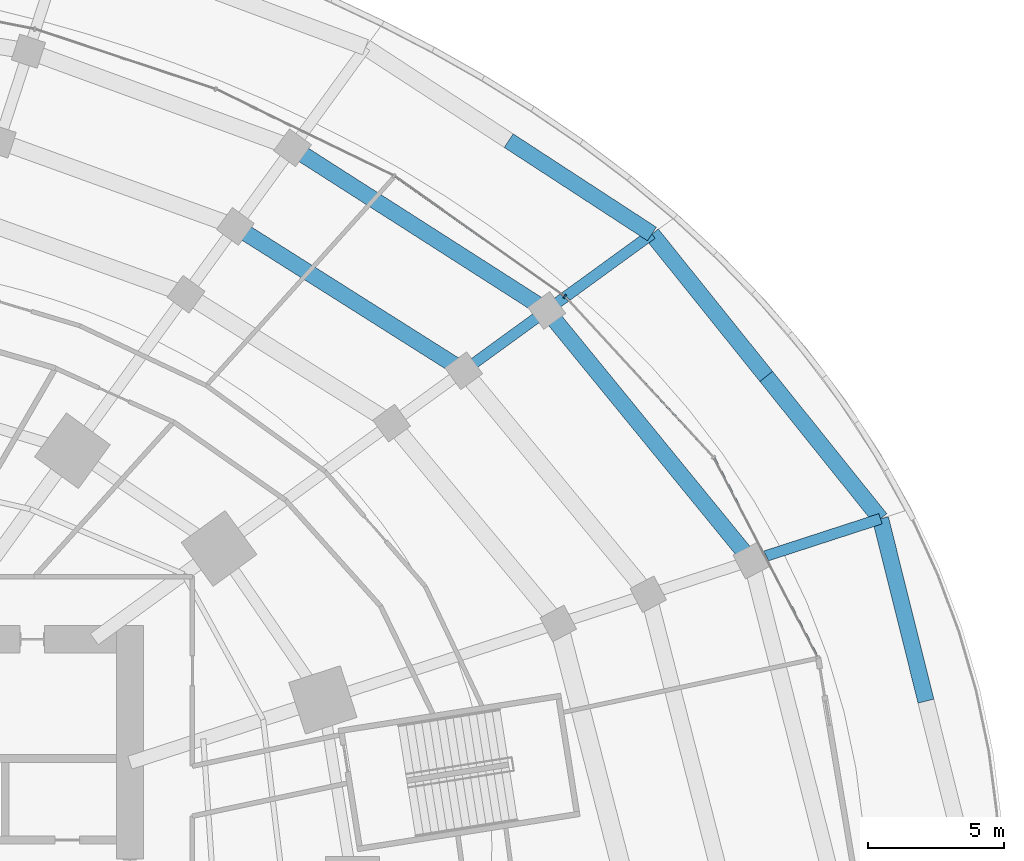
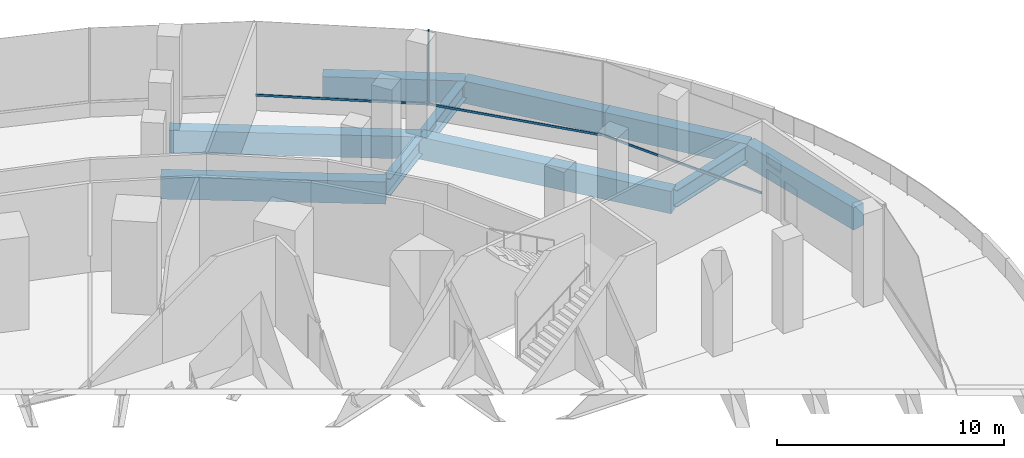
# One storey, part 15 of 31: 10 beams, 4 members, 1 element without a shape of its own.
"""IFC4 building model written with IfcOpenShell, lengths in metres."""

from ifc_helpers import new_model, si_unit, direction, frame, origin, origin_2d, place, context, subcontext, project, spatial, rectangle, i_section, extrude, material, material_profile, profile_set, type_object, element, aggregate, save


model = new_model("IFC4")

# Units and contexts
model_context = context("Model", 3, precision=1e-05, world=origin(), true_north=direction((0.0, 1.0)))
body_context = subcontext(model_context, "Body", "Model", "MODEL_VIEW")
ifc_project = project(units=[si_unit("LENGTHUNIT", "METRE"), si_unit("AREAUNIT", "SQUARE_METRE"), si_unit("VOLUMEUNIT", "CUBIC_METRE"), si_unit("PLANEANGLEUNIT", "RADIAN"), si_unit("MASSUNIT", "GRAM", prefix="KILO")], contexts=[model_context])

# Site, building, storey
site_placement = place(None, origin())
site = spatial("IfcSite", under=ifc_project, at=site_placement, CompositionType="ELEMENT")
building_placement = place(site_placement, origin())
building = spatial("IfcBuilding", under=site, at=building_placement, Name="Marramba Exchange Tower", CompositionType="ELEMENT")
storey_placement = place(building_placement, frame((0.0, 0.0, 5.60009765625)))
storey = spatial("IfcBuildingStorey", under=building, at=storey_placement, Name="L01", CompositionType="ELEMENT", Elevation=5.60009765625)

# Beams
ifc_material_1 = material(Name="Concrete N50", Category="concrete")
ifc_material_profile_1 = material_profile(ifc_material_1, rectangle(XDim=0.60009765625, YDim=1.199951171875, at=origin_2d()), Name="RC 600x1200")
ifc_profile_set_1 = profile_set([ifc_material_profile_1], Name="Concrete N50")
beam_type_1 = type_object("IfcBeamType", Name="Edge beam RC 600x1200 N50", PredefinedType="SPANDREL", material=ifc_profile_set_1)
beam_1_placement = place(storey_placement, frame((43.025390625, 6.7177734375, -0.85009765625), z_axis=(-0.24186351057, 0.970310281433, 0.0), x_axis=(-0.970310281433, -0.24186351057, 0.0)))
element("IfcBeam", 1, at=beam_1_placement, inside=storey, type_object=beam_type_1, Name="Edge beam L01 P0C01 half 2", PredefinedType="SPANDREL", context=body_context, shape_type="SweptSolid", body=[
    extrude(rectangle(XDim=0.60009765625, YDim=1.199951171875, at=origin_2d()), origin(), (0.0, 0.0, 1.0), 6.923583984375),
])
beam_2_placement = place(storey_placement, frame((41.350830078125, 13.435791015625, -0.85009765625), z_axis=(-0.626008962796, 0.779815861918, 0.0), x_axis=(-0.779815861918, -0.626008962796, 0.0)))
element("IfcBeam", 2, at=beam_2_placement, inside=storey, type_object=beam_type_1, Name="Edge beam L01 P0C02 half 1", PredefinedType="SPANDREL", context=body_context, shape_type="SweptSolid", body=[
    extrude(rectangle(XDim=0.60009765625, YDim=1.199951171875, at=origin_2d()), origin(), (0.0, 0.0, 1.0), 6.7255859375),
])
beam_3_placement = place(storey_placement, frame((37.140625, 18.680419921875, -0.85009765625), z_axis=(-0.626013316532, 0.779812366871, 0.0), x_axis=(-0.779812366871, -0.626013316532, 0.0)))
element("IfcBeam", 3, at=beam_3_placement, inside=storey, type_object=beam_type_1, Name="Edge beam L01 P0C02 half 2", PredefinedType="SPANDREL", context=body_context, shape_type="SweptSolid", body=[
    extrude(rectangle(XDim=0.60009765625, YDim=1.199951171875, at=origin_2d()), origin(), (0.0, 0.0, 1.0), 6.725830078125),
])
beam_4_placement = place(storey_placement, frame((32.93017578125, 23.92529296875, -0.85009765625), z_axis=(-0.837726274184, 0.54609036756, 0.0), x_axis=(-0.54609036756, -0.837726274184, 0.0)))
element("IfcBeam", 4, at=beam_4_placement, inside=storey, type_object=beam_type_1, Name="Edge beam L01 P0C03 half 1", PredefinedType="SPANDREL", context=body_context, shape_type="SweptSolid", body=[
    extrude(rectangle(XDim=0.60009765625, YDim=1.199951171875, at=origin_2d()), origin(), (0.0, 0.0, 1.0), 6.296875),
])
beam_5_placement = place(storey_placement, frame((36.5888671875, 11.888427734375, -0.800048828125), z_axis=(-0.632507305582, 0.774554393432, 0.0), x_axis=(-0.774554393432, -0.632507305582, 0.0)))
element("IfcBeam", 5, at=beam_5_placement, inside=storey, type_object=beam_type_1, Name="Edge beam L01 P1C02", PredefinedType="SPANDREL", context=body_context, shape_type="SweptSolid", body=[
    extrude(rectangle(XDim=0.60009765625, YDim=1.199951171875, at=origin_2d()), origin(), (0.0, 0.0, 1.0), 11.907470703125),
])
beam_6_placement = place(storey_placement, frame((29.057373046875, 21.111328125, -0.800048828125), z_axis=(-0.84235792629, 0.538918476225, 0.0), x_axis=(-0.538918476225, -0.84235792629, 0.0)))
element("IfcBeam", 6, at=beam_6_placement, inside=storey, type_object=beam_type_1, Name="Edge beam L01 P1C03", PredefinedType="SPANDREL", context=body_context, shape_type="SweptSolid", body=[
    extrude(rectangle(XDim=0.60009765625, YDim=1.199951171875, at=origin_2d()), origin(), (0.0, 0.0, 1.0), 11.118408203125),
])
beam_7_placement = place(storey_placement, frame((25.99658203125, 18.8876953125, -0.800048828125), z_axis=(-0.845320367889, 0.534259745473, 0.0), x_axis=(-0.534259745473, -0.845320367889, 0.0)))
element("IfcBeam", 7, at=beam_7_placement, inside=storey, type_object=beam_type_1, Name="Edge beam L01 P2C03", PredefinedType="SPANDREL", context=body_context, shape_type="SweptSolid", body=[
    extrude(rectangle(XDim=0.60009765625, YDim=1.199951171875, at=origin_2d()), origin(), (0.0, 0.0, 1.0), 9.950439453125),
])

# Curtain wall, members
ifc_material_2 = material(Name="Aluminium framing, bronze anodised", Category="aluminium")
curtain_wall_type = type_object("IfcCurtainWallType", Name="Podium ribbon curtain wall", PredefinedType="USERDEFINED", material=ifc_material_2)
curtain_wall_placement = place(storey_placement, origin())
curtain_wall = element("IfcCurtainWall", 8, at=curtain_wall_placement, inside=storey, type_object=curtain_wall_type, Name="Curtain wall CW2 L01 F02-F05", ObjectType="RIBBON CURTAIN WALL", PredefinedType="USERDEFINED")
ifc_material_3 = material(Name="Aluminium mullion, bronze anodised", Category="aluminium")
ifc_material_profile_2 = material_profile(ifc_material_3, rectangle(XDim=0.159912109375, YDim=0.06005859375, at=origin_2d()), Name="CW2 mullion 60x160")
ifc_profile_set_2 = profile_set([ifc_material_profile_2], Name="Aluminium mullion, bronze anodised")
member_type_1 = type_object("IfcMemberType", Name="Podium ribbon curtain wall mullion", PredefinedType="MULLION", material=ifc_profile_set_2)
member_1_placement = place(storey_placement, frame((29.720458984375, 21.62841796875, 0.7998046875), z_axis=(0.0, 0.0, 1.0), x_axis=(-0.577270845362, -0.816552736261, 0.0)))
member_1 = element("IfcMember", 9, at=member_1_placement, type_object=member_type_1, Name="CW2 mullion 1", PredefinedType="MULLION", context=body_context, shape_type="SweptSolid", body=[
    extrude(rectangle(XDim=0.159912109375, YDim=0.06005859375, at=origin_2d()), origin(), (0.0, 0.0, 1.0), 4.0),
])
ifc_material_4 = material(Name="Aluminium transom, bronze anodised", Category="aluminium")
ifc_material_profile_3 = material_profile(ifc_material_4, rectangle(XDim=0.06005859375, YDim=0.1201171875, at=origin_2d()), Name="CW2 transom 60x120")
ifc_profile_set_3 = profile_set([ifc_material_profile_3], Name="Aluminium transom, bronze anodised")
member_type_2 = type_object("IfcMemberType", Name="Podium ribbon curtain wall transom", PredefinedType="USERDEFINED", material=ifc_profile_set_3)
member_2_placement = place(storey_placement, frame((39.028076171875, 8.354736328125, 0.829833984375), z_axis=(-0.461467243498, 0.887157248281, 0.0), x_axis=(-0.887157248281, -0.461467243498, 0.0)))
member_2 = element("IfcMember", 10, at=member_2_placement, type_object=member_type_2, Name="CW2 sill transom", ObjectType="TRANSOM", PredefinedType="USERDEFINED", context=body_context, shape_type="SweptSolid", body=[
    extrude(rectangle(XDim=0.06005859375, YDim=0.1201171875, at=origin_2d()), origin(), (0.0, 0.0, 1.0), 8.2568359375),
])
member_3_placement = place(storey_placement, frame((35.177001953125, 15.72412109375, 0.829833984375), z_axis=(-0.678129445782, 0.734942483983, 0.0), x_axis=(-0.734942483983, -0.678129445782, 0.0)))
member_3 = element("IfcMember", 11, at=member_3_placement, type_object=member_type_2, Name="CW2 sill transom", ObjectType="TRANSOM", PredefinedType="USERDEFINED", context=body_context, shape_type="SweptSolid", body=[
    extrude(rectangle(XDim=0.06005859375, YDim=0.1201171875, at=origin_2d()), origin(), (0.0, 0.0, 1.0), 8.010009765625),
])
member_4_placement = place(storey_placement, frame((29.696044921875, 21.645751953125, 0.829833984375), z_axis=(-0.816561910569, 0.577257868034, 0.0), x_axis=(-0.577257868034, -0.816561910569, 0.0)))
member_4 = element("IfcMember", 12, at=member_4_placement, type_object=member_type_2, Name="CW2 sill transom", ObjectType="TRANSOM", PredefinedType="USERDEFINED", context=body_context, shape_type="SweptSolid", body=[
    extrude(rectangle(XDim=0.06005859375, YDim=0.1201171875, at=origin_2d()), origin(), (0.0, 0.0, 1.0), 7.63720703125),
])
aggregate(curtain_wall, [member_2, member_3, member_1, member_4])

# Beams
ifc_material_5 = material(Name="Steel AS/NZS 3679.2 grade 300", Category="steel")
ifc_material_profile_4 = material_profile(ifc_material_5, i_section(OverallWidth=0.39990234375, OverallDepth=0.89990234375, WebThickness=0.01611328125, FlangeThickness=0.031982421875, at=origin_2d()), Name="900WB282")
ifc_profile_set_4 = profile_set([ifc_material_profile_4], Name="Steel AS/NZS 3679.2 grade 300")
beam_type_2 = type_object("IfcBeamType", Name="Radial girder 900WB282", PredefinedType="BEAM", material=ifc_profile_set_4)
beam_8_placement = place(storey_placement, frame((41.350830078125, 13.435791015625, -0.7001953125), z_axis=(-0.951050191909, -0.309036458155, 0.0), x_axis=(0.309036458155, -0.951050191909, 0.0)))
element("IfcBeam", 13, at=beam_8_placement, inside=storey, type_object=beam_type_2, Name="Radial girder L01 P0C02", PredefinedType="BEAM", context=body_context, shape_type="SweptSolid", body=[
    extrude(i_section(OverallWidth=0.39990234375, OverallDepth=0.89990234375, WebThickness=0.01611328125, FlangeThickness=0.031982421875, at=origin_2d()), origin(), (0.0, 0.0, 1.0), 5.007080078125),
])
beam_9_placement = place(storey_placement, frame((32.93017578125, 23.92529296875, -0.7001953125), z_axis=(-0.808996237592, -0.587813820493, 0.0), x_axis=(0.587813820493, -0.808996237592, 0.0)))
element("IfcBeam", 14, at=beam_9_placement, inside=storey, type_object=beam_type_2, Name="Radial girder L01 P0C03", PredefinedType="BEAM", context=body_context, shape_type="SweptSolid", body=[
    extrude(i_section(OverallWidth=0.39990234375, OverallDepth=0.89990234375, WebThickness=0.01611328125, FlangeThickness=0.031982421875, at=origin_2d()), origin(), (0.0, 0.0, 1.0), 4.787109375),
])
beam_10_placement = place(storey_placement, frame((29.057373046875, 21.111328125, -0.650146484375), z_axis=(-0.809037359893, -0.58775722054, 0.0), x_axis=(0.58775722054, -0.809037359893, 0.0)))
element("IfcBeam", 15, at=beam_10_placement, inside=storey, type_object=beam_type_2, Name="Radial girder L01 P1C03", PredefinedType="BEAM", context=body_context, shape_type="SweptSolid", body=[
    extrude(i_section(OverallWidth=0.39990234375, OverallDepth=0.89990234375, WebThickness=0.01611328125, FlangeThickness=0.031982421875, at=origin_2d()), origin(), (0.0, 0.0, 1.0), 3.783203125),
])

save(model, "model.ifc")
